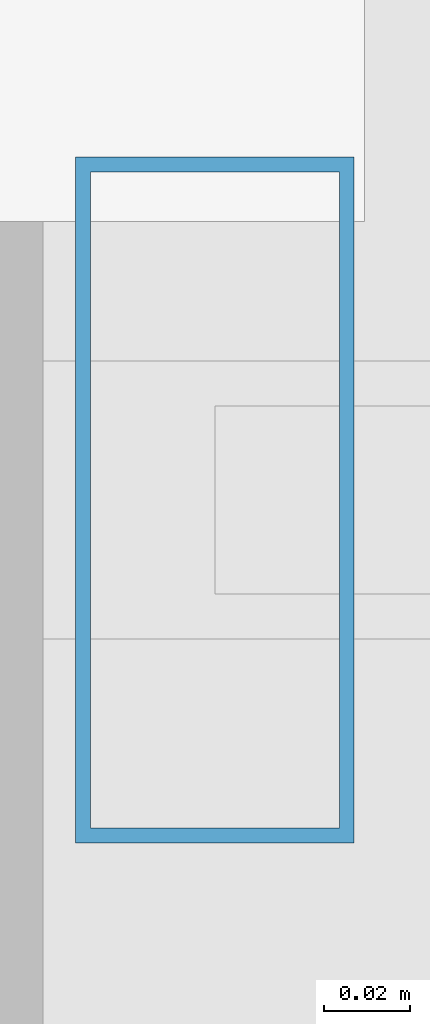
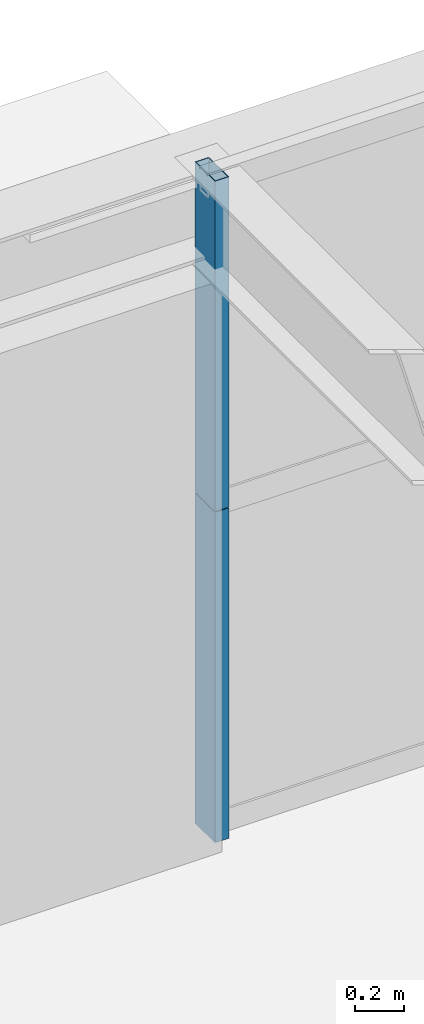
# One storey, part 25 of 37: 2 members, 1 element without a shape of its own.
"""IFC4 building model written with IfcOpenShell, lengths in metres."""

from ifc_helpers import new_model, si_unit, direction, frame, origin, origin_2d, place, context, subcontext, project, spatial, hollow_rectangle, extrude, source, transform, mapped, material, layer, layer_set, material_profile, profile_set, type_object, element, aggregate, save


model = new_model("IFC4")

# Units and contexts
model_context = context("Model", 3, precision=1e-05, world=origin(), true_north=direction((0.0, 1.0)))
body_context = subcontext(model_context, "Body", "Model", "MODEL_VIEW")
ifc_project = project(units=[si_unit("LENGTHUNIT", "METRE"), si_unit("AREAUNIT", "SQUARE_METRE"), si_unit("VOLUMEUNIT", "CUBIC_METRE"), si_unit("PLANEANGLEUNIT", "RADIAN"), si_unit("MASSUNIT", "GRAM", prefix="KILO"), si_unit("THERMODYNAMICTEMPERATUREUNIT", "KELVIN"), si_unit("POWERUNIT", "WATT")], contexts=[model_context])

# Site, building, storey
site_placement = place(None, origin())
site = spatial("IfcSite", under=ifc_project, at=site_placement, CompositionType="ELEMENT")
building_placement = place(site_placement, origin())
building = spatial("IfcBuilding", under=site, at=building_placement, Name="Yuzanri Waterfront Tower", CompositionType="ELEMENT")
storey_placement = place(building_placement, frame((0.0, 0.0, 275.10009765625)))
storey = spatial("IfcBuildingStorey", under=building, at=storey_placement, Name="L73", CompositionType="ELEMENT", Elevation=275.10009765625)

# Curtain wall, members
ifc_material_1 = material(Name="Anodized Architectural Bronze", Category="metal")
ifc_layer = layer(ifc_material_1, 0.159912109375)
ifc_layer_set = layer_set([ifc_layer], Name="Anodized Architectural Bronze")
curtain_wall_type = type_object("IfcCurtainWallType", Name="Anodized Bronze Mid-Rise Residential Acoustic Unitized Curtain Wall 7200", PredefinedType="NOTDEFINED", material=ifc_layer_set)
curtain_wall_placement = place(storey_placement, origin())
curtain_wall = element("IfcCurtainWall", 1, at=curtain_wall_placement, inside=storey, type_object=curtain_wall_type, Name="L73 Curtain Wall CW-L73-NL", PredefinedType="NOTDEFINED")
ifc_material_2 = material(Name="Anodized Architectural Bronze", Category="metal")
ifc_material_profile = material_profile(ifc_material_2, hollow_rectangle(XDim=0.06494140625, YDim=0.159912109375, WallThickness=0.00341796875, at=origin_2d()), Name="CWM 65x160")
ifc_profile_set = profile_set([ifc_material_profile], Name="Anodized Architectural Bronze")
member_type = type_object("IfcMemberType", Name="Anodized Bronze Upper-Zone Curtain-Wall Mullion 65x160", PredefinedType="MULLION", material=ifc_profile_set)
shared_shape = source(origin(), body_context, "Body", "SweptSolid", [
    extrude(hollow_rectangle(XDim=0.06494140625, YDim=0.159912109375, WallThickness=0.00341796875, at=origin_2d()), origin(), (0.0, 0.0, 1.0), 1.637939453125),
])
member_1_placement = place(storey_placement, frame((23.7900390625, 46.25, 0.0), z_axis=(0.0, 0.0, 1.0), x_axis=(1.0, 0.0, 0.0)))
member_1 = element("IfcMember", 2, at=member_1_placement, type_object=member_type, Name="CW-L73-NL Lower Mullion 00", PredefinedType="MULLION", context=body_context, shape_type="MappedRepresentation", body=[
    mapped(shared_shape, transform((0.0, 0.0, 0.0), scale=1.0)),
])
member_2_placement = place(storey_placement, frame((23.7900390625, 46.25, 1.641845703125), z_axis=(0.0, 0.0, 1.0), x_axis=(1.0, 0.0, 0.0)))
member_2 = element("IfcMember", 3, at=member_2_placement, type_object=member_type, Name="CW-L73-NL Upper Mullion 00", PredefinedType="MULLION", context=body_context, shape_type="MappedRepresentation", body=[
    mapped(shared_shape, transform((0.0, 0.0, 0.0), scale=1.0)),
])
aggregate(curtain_wall, [member_1, member_2])

save(model, "model.ifc")
